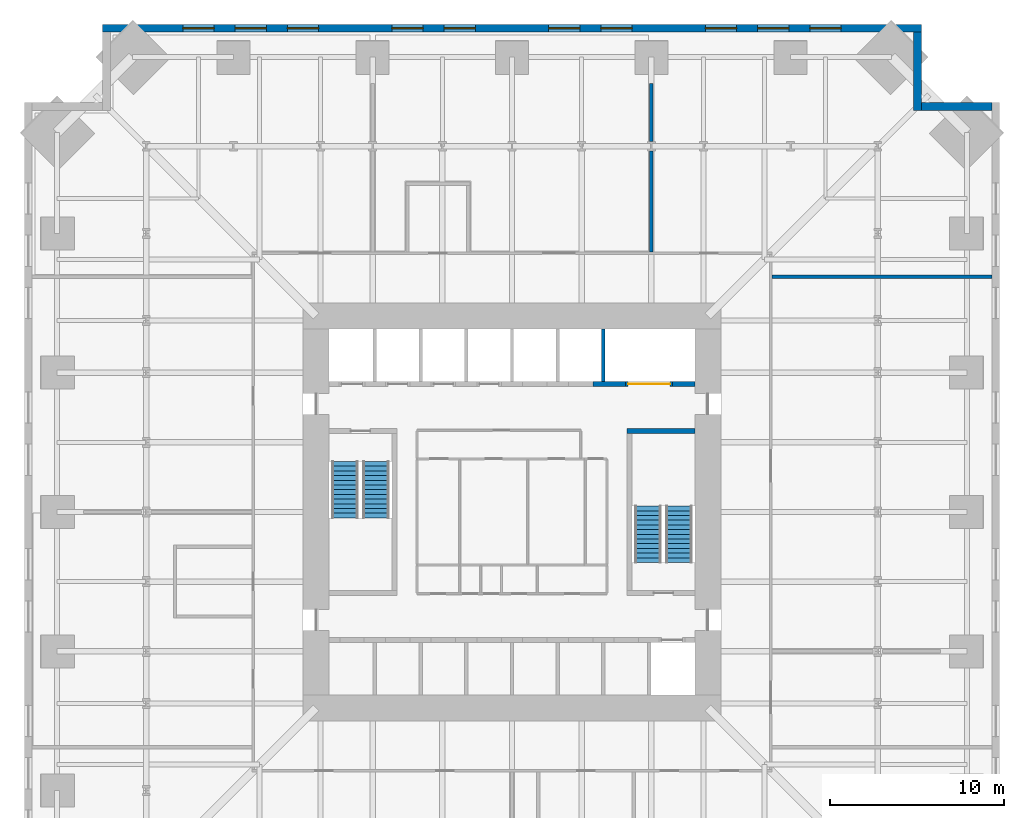
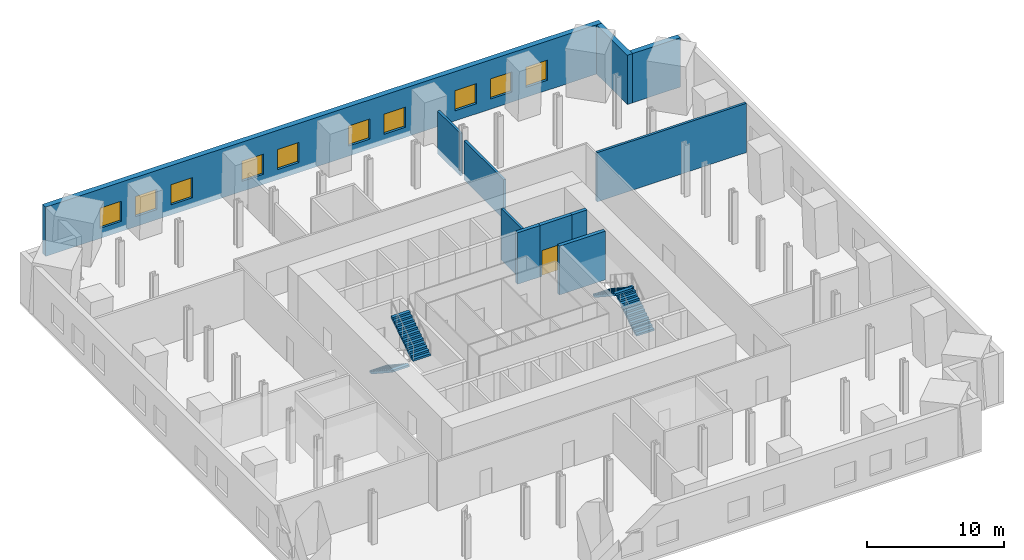
# One storey, part 7 of 8: 11 walls, 10 windows, 4 stair flights, 1 door, 11 openings, 2 elements without a shape of their own.
"""IFC4 building model written with IfcOpenShell, lengths in metres."""

from ifc_helpers import new_model, si_unit, direction, frame, frame_2d, origin, place, context, subcontext, project, spatial, polyline, rectangle, outline, extrude, material, layer, layer_set, type_object, element, fill, aggregate, save


model = new_model("IFC4")

# Units and contexts
model_context = context("Model", 3, precision=1e-05, world=origin(), true_north=direction((0.0, 1.0)))
body_context = subcontext(model_context, "Body", "Model", "MODEL_VIEW")
ifc_project = project(units=[si_unit("LENGTHUNIT", "METRE"), si_unit("AREAUNIT", "SQUARE_METRE"), si_unit("VOLUMEUNIT", "CUBIC_METRE"), si_unit("PLANEANGLEUNIT", "RADIAN"), si_unit("MASSUNIT", "GRAM", prefix="KILO")], contexts=[model_context])

# Site, building, storey
site_placement = place(None, origin())
site = spatial("IfcSite", under=ifc_project, at=site_placement, CompositionType="ELEMENT")
building_placement = place(site_placement, origin())
building = spatial("IfcBuilding", under=site, at=building_placement, Name="Peilmerk Tower", CompositionType="ELEMENT")
storey_placement = place(building_placement, frame((0.0, 0.0, 118.199951171875)))
storey = spatial("IfcBuildingStorey", under=building, at=storey_placement, Name="L23", CompositionType="ELEMENT", Elevation=118.199951171875)

# Wall, openings, windows
ifc_material_1 = material(Name="Precast concrete C45/55, board-marked finish", Category="concrete")
ifc_layer_1 = layer(ifc_material_1, 0.449951171875)
ifc_layer_set_1 = layer_set([ifc_layer_1], Name="Precast concrete C45/55, board-marked finish")
wall_type_1 = type_object("IfcWallType", Name="EW1 450 precast concrete facade wall, board-marked", PredefinedType="SOLIDWALL", material=ifc_layer_set_1)
wall_1_placement = place(storey_placement, frame((23.5, 27.77490234375, 0.0), z_axis=(0.0, 0.0, 1.0), x_axis=(-1.0, 0.0, 0.0)))
wall_1 = element("IfcWall", 1, at=wall_1_placement, inside=storey, type_object=wall_type_1, Name="Facade wall N L23", PredefinedType="SOLIDWALL", context=body_context, shape_type="SweptSolid", body=[
    extrude(rectangle(XDim=47.0, YDim=0.449951171875, at=frame_2d((23.5, 0.0))), origin(), (0.0, 0.0, 1.0), 4.400146484375),
])
opening_1_placement = place(wall_1_placement, frame((4.60009765625, 0.0, 0.89990234375)))
opening_1 = element("IfcOpeningElement", 2, at=opening_1_placement, cuts=wall_1, Name="Opening W3", PredefinedType="OPENING", context=body_context, shape_type="SweptSolid", body=[
    extrude(rectangle(XDim=1.800048828125, YDim=1.800048828125, at=frame_2d((0.89990234375, 0.89990234375))), frame((0.0, 0.23486328125, 0.0), z_axis=(0.0, -1.0, 0.0), x_axis=(1.0, 0.0, 0.0)), (0.0, 0.0, 1.0), 0.469970703125),
])
opening_2_placement = place(wall_1_placement, frame((7.60009765625, 0.0, 0.89990234375)))
opening_2 = element("IfcOpeningElement", 3, at=opening_2_placement, cuts=wall_1, Name="Opening W3", PredefinedType="OPENING", context=body_context, shape_type="SweptSolid", body=[
    extrude(rectangle(XDim=1.800048828125, YDim=1.800048828125, at=frame_2d((0.89990234375, 0.89990234375))), frame((0.0, 0.23486328125, 0.0), z_axis=(0.0, -1.0, 0.0), x_axis=(1.0, 0.0, 0.0)), (0.0, 0.0, 1.0), 0.469970703125),
])
opening_3_placement = place(wall_1_placement, frame((10.60009765625, 0.0, 0.89990234375)))
opening_3 = element("IfcOpeningElement", 4, at=opening_3_placement, cuts=wall_1, Name="Opening W3", PredefinedType="OPENING", context=body_context, shape_type="SweptSolid", body=[
    extrude(rectangle(XDim=1.800048828125, YDim=1.800048828125, at=frame_2d((0.89990234375, 0.89990234375))), frame((0.0, 0.23486328125, 0.0), z_axis=(0.0, -1.0, 0.0), x_axis=(1.0, 0.0, 0.0)), (0.0, 0.0, 1.0), 0.469970703125),
])
opening_4_placement = place(wall_1_placement, frame((16.60009765625, 0.0, 0.89990234375)))
opening_4 = element("IfcOpeningElement", 5, at=opening_4_placement, cuts=wall_1, Name="Opening W3", PredefinedType="OPENING", context=body_context, shape_type="SweptSolid", body=[
    extrude(rectangle(XDim=1.800048828125, YDim=1.800048828125, at=frame_2d((0.89990234375, 0.89990234375))), frame((0.0, 0.23486328125, 0.0), z_axis=(0.0, -1.0, 0.0), x_axis=(1.0, 0.0, 0.0)), (0.0, 0.0, 1.0), 0.469970703125),
])
opening_5_placement = place(wall_1_placement, frame((19.60009765625, 0.0, 0.89990234375)))
opening_5 = element("IfcOpeningElement", 6, at=opening_5_placement, cuts=wall_1, Name="Opening W3", PredefinedType="OPENING", context=body_context, shape_type="SweptSolid", body=[
    extrude(rectangle(XDim=1.800048828125, YDim=1.800048828125, at=frame_2d((0.89990234375, 0.89990234375))), frame((0.0, 0.23486328125, 0.0), z_axis=(0.0, -1.0, 0.0), x_axis=(1.0, 0.0, 0.0)), (0.0, 0.0, 1.0), 0.469970703125),
])
opening_6_placement = place(wall_1_placement, frame((25.60009765625, 0.0, 0.89990234375)))
opening_6 = element("IfcOpeningElement", 7, at=opening_6_placement, cuts=wall_1, Name="Opening W3", PredefinedType="OPENING", context=body_context, shape_type="SweptSolid", body=[
    extrude(rectangle(XDim=1.800048828125, YDim=1.800048828125, at=frame_2d((0.89990234375, 0.89990234375))), frame((0.0, 0.23486328125, 0.0), z_axis=(0.0, -1.0, 0.0), x_axis=(1.0, 0.0, 0.0)), (0.0, 0.0, 1.0), 0.469970703125),
])
opening_7_placement = place(wall_1_placement, frame((28.60009765625, 0.0, 0.89990234375)))
opening_7 = element("IfcOpeningElement", 8, at=opening_7_placement, cuts=wall_1, Name="Opening W3", PredefinedType="OPENING", context=body_context, shape_type="SweptSolid", body=[
    extrude(rectangle(XDim=1.800048828125, YDim=1.800048828125, at=frame_2d((0.89990234375, 0.89990234375))), frame((0.0, 0.23486328125, 0.0), z_axis=(0.0, -1.0, 0.0), x_axis=(1.0, 0.0, 0.0)), (0.0, 0.0, 1.0), 0.469970703125),
])
opening_8_placement = place(wall_1_placement, frame((34.60009765625, 0.0, 0.89990234375)))
opening_8 = element("IfcOpeningElement", 9, at=opening_8_placement, cuts=wall_1, Name="Opening W3", PredefinedType="OPENING", context=body_context, shape_type="SweptSolid", body=[
    extrude(rectangle(XDim=1.800048828125, YDim=1.800048828125, at=frame_2d((0.89990234375, 0.89990234375))), frame((0.0, 0.23486328125, 0.0), z_axis=(0.0, -1.0, 0.0), x_axis=(1.0, 0.0, 0.0)), (0.0, 0.0, 1.0), 0.469970703125),
])
opening_9_placement = place(wall_1_placement, frame((37.60009765625, 0.0, 0.89990234375)))
opening_9 = element("IfcOpeningElement", 10, at=opening_9_placement, cuts=wall_1, Name="Opening W3", PredefinedType="OPENING", context=body_context, shape_type="SweptSolid", body=[
    extrude(rectangle(XDim=1.800048828125, YDim=1.800048828125, at=frame_2d((0.89990234375, 0.89990234375))), frame((0.0, 0.23486328125, 0.0), z_axis=(0.0, -1.0, 0.0), x_axis=(1.0, 0.0, 0.0)), (0.0, 0.0, 1.0), 0.469970703125),
])
opening_10_placement = place(wall_1_placement, frame((40.60009765625, 0.0, 0.89990234375)))
opening_10 = element("IfcOpeningElement", 11, at=opening_10_placement, cuts=wall_1, Name="Opening W3", PredefinedType="OPENING", context=body_context, shape_type="SweptSolid", body=[
    extrude(rectangle(XDim=1.800048828125, YDim=1.800048828125, at=frame_2d((0.89990234375, 0.89990234375))), frame((0.0, 0.23486328125, 0.0), z_axis=(0.0, -1.0, 0.0), x_axis=(1.0, 0.0, 0.0)), (0.0, 0.0, 1.0), 0.469970703125),
])
ifc_material_2 = material(Name="Aluminium frame, clear double glazing", Category="aluminium")
window_type = type_object("IfcWindowType", Name="W3 1800x1800 telecom floor window", PartitioningType="SINGLE_PANEL", PredefinedType="WINDOW", material=ifc_material_2)
window_1_placement = place(opening_1_placement, origin())
window_1 = element("IfcWindow", 12, at=window_1_placement, inside=storey, type_object=window_type, Name="Window W3 L23", OverallHeight=1.800048828125, OverallWidth=1.800048828125, PartitioningType="SINGLE_PANEL", PredefinedType="WINDOW", context=body_context, shape_type="SweptSolid", body=[
    extrude(rectangle(XDim=1.800048828125, YDim=1.800048828125, at=frame_2d((0.89990234375, 0.89990234375))), frame((0.0, 0.030029296875, 0.0), z_axis=(0.0, -1.0, 0.0), x_axis=(1.0, 0.0, 0.0)), (0.0, 0.0, 1.0), 0.06005859375),
])
fill(opening_1, window_1)
window_2_placement = place(opening_2_placement, origin())
window_2 = element("IfcWindow", 13, at=window_2_placement, inside=storey, type_object=window_type, Name="Window W3 L23", OverallHeight=1.800048828125, OverallWidth=1.800048828125, PartitioningType="SINGLE_PANEL", PredefinedType="WINDOW", context=body_context, shape_type="SweptSolid", body=[
    extrude(rectangle(XDim=1.800048828125, YDim=1.800048828125, at=frame_2d((0.89990234375, 0.89990234375))), frame((0.0, 0.030029296875, 0.0), z_axis=(0.0, -1.0, 0.0), x_axis=(1.0, 0.0, 0.0)), (0.0, 0.0, 1.0), 0.06005859375),
])
fill(opening_2, window_2)
window_3_placement = place(opening_3_placement, origin())
window_3 = element("IfcWindow", 14, at=window_3_placement, inside=storey, type_object=window_type, Name="Window W3 L23", OverallHeight=1.800048828125, OverallWidth=1.800048828125, PartitioningType="SINGLE_PANEL", PredefinedType="WINDOW", context=body_context, shape_type="SweptSolid", body=[
    extrude(rectangle(XDim=1.800048828125, YDim=1.800048828125, at=frame_2d((0.89990234375, 0.89990234375))), frame((0.0, 0.030029296875, 0.0), z_axis=(0.0, -1.0, 0.0), x_axis=(1.0, 0.0, 0.0)), (0.0, 0.0, 1.0), 0.06005859375),
])
fill(opening_3, window_3)
window_4_placement = place(opening_4_placement, origin())
window_4 = element("IfcWindow", 15, at=window_4_placement, inside=storey, type_object=window_type, Name="Window W3 L23", OverallHeight=1.800048828125, OverallWidth=1.800048828125, PartitioningType="SINGLE_PANEL", PredefinedType="WINDOW", context=body_context, shape_type="SweptSolid", body=[
    extrude(rectangle(XDim=1.800048828125, YDim=1.800048828125, at=frame_2d((0.89990234375, 0.89990234375))), frame((0.0, 0.030029296875, 0.0), z_axis=(0.0, -1.0, 0.0), x_axis=(1.0, 0.0, 0.0)), (0.0, 0.0, 1.0), 0.06005859375),
])
fill(opening_4, window_4)
window_5_placement = place(opening_5_placement, origin())
window_5 = element("IfcWindow", 16, at=window_5_placement, inside=storey, type_object=window_type, Name="Window W3 L23", OverallHeight=1.800048828125, OverallWidth=1.800048828125, PartitioningType="SINGLE_PANEL", PredefinedType="WINDOW", context=body_context, shape_type="SweptSolid", body=[
    extrude(rectangle(XDim=1.800048828125, YDim=1.800048828125, at=frame_2d((0.89990234375, 0.89990234375))), frame((0.0, 0.030029296875, 0.0), z_axis=(0.0, -1.0, 0.0), x_axis=(1.0, 0.0, 0.0)), (0.0, 0.0, 1.0), 0.06005859375),
])
fill(opening_5, window_5)
window_6_placement = place(opening_6_placement, origin())
window_6 = element("IfcWindow", 17, at=window_6_placement, inside=storey, type_object=window_type, Name="Window W3 L23", OverallHeight=1.800048828125, OverallWidth=1.800048828125, PartitioningType="SINGLE_PANEL", PredefinedType="WINDOW", context=body_context, shape_type="SweptSolid", body=[
    extrude(rectangle(XDim=1.800048828125, YDim=1.800048828125, at=frame_2d((0.89990234375, 0.89990234375))), frame((0.0, 0.030029296875, 0.0), z_axis=(0.0, -1.0, 0.0), x_axis=(1.0, 0.0, 0.0)), (0.0, 0.0, 1.0), 0.06005859375),
])
fill(opening_6, window_6)
window_7_placement = place(opening_7_placement, origin())
window_7 = element("IfcWindow", 18, at=window_7_placement, inside=storey, type_object=window_type, Name="Window W3 L23", OverallHeight=1.800048828125, OverallWidth=1.800048828125, PartitioningType="SINGLE_PANEL", PredefinedType="WINDOW", context=body_context, shape_type="SweptSolid", body=[
    extrude(rectangle(XDim=1.800048828125, YDim=1.800048828125, at=frame_2d((0.89990234375, 0.89990234375))), frame((0.0, 0.030029296875, 0.0), z_axis=(0.0, -1.0, 0.0), x_axis=(1.0, 0.0, 0.0)), (0.0, 0.0, 1.0), 0.06005859375),
])
fill(opening_7, window_7)
window_8_placement = place(opening_8_placement, origin())
window_8 = element("IfcWindow", 19, at=window_8_placement, inside=storey, type_object=window_type, Name="Window W3 L23", OverallHeight=1.800048828125, OverallWidth=1.800048828125, PartitioningType="SINGLE_PANEL", PredefinedType="WINDOW", context=body_context, shape_type="SweptSolid", body=[
    extrude(rectangle(XDim=1.800048828125, YDim=1.800048828125, at=frame_2d((0.89990234375, 0.89990234375))), frame((0.0, 0.030029296875, 0.0), z_axis=(0.0, -1.0, 0.0), x_axis=(1.0, 0.0, 0.0)), (0.0, 0.0, 1.0), 0.06005859375),
])
fill(opening_8, window_8)
window_9_placement = place(opening_9_placement, origin())
window_9 = element("IfcWindow", 20, at=window_9_placement, inside=storey, type_object=window_type, Name="Window W3 L23", OverallHeight=1.800048828125, OverallWidth=1.800048828125, PartitioningType="SINGLE_PANEL", PredefinedType="WINDOW", context=body_context, shape_type="SweptSolid", body=[
    extrude(rectangle(XDim=1.800048828125, YDim=1.800048828125, at=frame_2d((0.89990234375, 0.89990234375))), frame((0.0, 0.030029296875, 0.0), z_axis=(0.0, -1.0, 0.0), x_axis=(1.0, 0.0, 0.0)), (0.0, 0.0, 1.0), 0.06005859375),
])
fill(opening_9, window_9)
window_10_placement = place(opening_10_placement, origin())
window_10 = element("IfcWindow", 21, at=window_10_placement, inside=storey, type_object=window_type, Name="Window W3 L23", OverallHeight=1.800048828125, OverallWidth=1.800048828125, PartitioningType="SINGLE_PANEL", PredefinedType="WINDOW", context=body_context, shape_type="SweptSolid", body=[
    extrude(rectangle(XDim=1.800048828125, YDim=1.800048828125, at=frame_2d((0.89990234375, 0.89990234375))), frame((0.0, 0.030029296875, 0.0), z_axis=(0.0, -1.0, 0.0), x_axis=(1.0, 0.0, 0.0)), (0.0, 0.0, 1.0), 0.06005859375),
])
fill(opening_10, window_10)

# Walls
wall_2_placement = place(storey_placement, frame((23.27490234375, 23.050048828125, 0.0), z_axis=(0.0, 0.0, 1.0), x_axis=(0.0, 1.0, 0.0)))
element("IfcWall", 22, at=wall_2_placement, inside=storey, type_object=wall_type_1, Name="Facade wall NEA L23", PredefinedType="SOLIDWALL", context=body_context, shape_type="SweptSolid", body=[
    extrude(rectangle(XDim=4.5, YDim=0.449951171875, at=frame_2d((2.25, 0.0))), origin(), (0.0, 0.0, 1.0), 4.400146484375),
])
wall_3_placement = place(storey_placement, frame((23.5, 23.27490234375, 0.0), z_axis=(0.0, 0.0, 1.0), x_axis=(1.0, 0.0, 0.0)))
element("IfcWall", 23, at=wall_3_placement, inside=storey, type_object=wall_type_1, Name="Facade wall NEB L23", PredefinedType="SOLIDWALL", context=body_context, shape_type="SweptSolid", body=[
    extrude(rectangle(XDim=4.050048828125, YDim=0.449951171875, at=frame_2d((2.02490234375, 0.0))), origin(), (0.0, 0.0, 1.0), 4.400146484375),
])
ifc_material_3 = material(Name="Calcium silicate block", Category="masonry")
ifc_layer_2 = layer(ifc_material_3, 0.199951171875)
ifc_layer_set_2 = layer_set([ifc_layer_2], Name="Calcium silicate block")
wall_type_2 = type_object("IfcWallType", Name="IW2 200 room separating wall, EI 120", PredefinedType="PARTITIONING", material=ifc_layer_set_2)
wall_4_placement = place(storey_placement, frame((14.925048828125, 13.5, 0.0), z_axis=(0.0, 0.0, 1.0), x_axis=(1.0, 0.0, 0.0)))
element("IfcWall", 24, at=wall_4_placement, inside=storey, type_object=wall_type_2, Name="Room separating wall NE L23", PredefinedType="PARTITIONING", context=body_context, shape_type="SweptSolid", body=[
    extrude(rectangle(XDim=12.625, YDim=0.199951171875, at=frame_2d((6.3125, 0.0))), origin(), (0.0, 0.0, 1.0), 4.400146484375),
])
wall_5_placement = place(storey_placement, frame((8.0, 14.925048828125, 0.0), z_axis=(0.0, 0.0, 1.0), x_axis=(0.0, 1.0, 0.0)))
element("IfcWall", 25, at=wall_5_placement, inside=storey, type_object=wall_type_2, Name="Room separating wall N2 L23", PredefinedType="PARTITIONING", context=body_context, shape_type="SweptSolid", body=[
    extrude(rectangle(XDim=5.79052734375, YDim=0.199951171875, at=frame_2d((2.895263671875, 0.0))), origin(), (0.0, 0.0, 1.0), 3.510009765625),
])
wall_6_placement = place(storey_placement, frame((8.0, 21.284423828125, 0.0), z_axis=(0.0, 0.0, 1.0), x_axis=(0.0, 1.0, 0.0)))
element("IfcWall", 26, at=wall_6_placement, inside=storey, type_object=wall_type_2, Name="Room separating wall N2b L23", PredefinedType="PARTITIONING", context=body_context, shape_type="SweptSolid", body=[
    extrude(rectangle(XDim=3.317138671875, YDim=0.199951171875, at=frame_2d((1.65869140625, 0.0))), origin(), (0.0, 0.0, 1.0), 3.800048828125),
])
ifc_material_4 = material(Name="Concrete C35/45", Category="concrete")
ifc_layer_3 = layer(ifc_material_4, 0.300048828125)
ifc_layer_set_3 = layer_set([ifc_layer_3], Name="Concrete C35/45")
wall_type_3 = type_object("IfcWallType", Name="IW3 300 concrete stair enclosure wall, EI 120", PredefinedType="SOLIDWALL", material=ifc_layer_set_3)
wall_7_placement = place(storey_placement, frame((6.60009765625, 4.64990234375, 0.0), z_axis=(0.0, 0.0, 1.0), x_axis=(1.0, 0.0, 0.0)))
element("IfcWall", 27, at=wall_7_placement, inside=storey, type_object=wall_type_3, Name="Stair 2 enclosure L23", PredefinedType="SOLIDWALL", context=body_context, shape_type="SweptSolid", body=[
    extrude(rectangle(XDim=3.89990234375, YDim=0.300048828125, at=frame_2d((1.949951171875, 0.0))), origin(), (0.0, 0.0, 1.0), 4.35009765625),
])
ifc_layer_4 = layer(ifc_material_3, 0.199951171875)
ifc_layer_set_4 = layer_set([ifc_layer_4], Name="Calcium silicate block")
wall_type_4 = type_object("IfcWallType", Name="SH1 200 shaft dividing wall, EI 120", PredefinedType="PARTITIONING", material=ifc_layer_set_4)
wall_8_placement = place(storey_placement, frame((5.25, 7.5, 0.0), z_axis=(0.0, 0.0, 1.0), x_axis=(0.0, 1.0, 0.0)))
element("IfcWall", 28, at=wall_8_placement, inside=storey, type_object=wall_type_4, Name="Shaft wall N S2 L23", PredefinedType="PARTITIONING", context=body_context, shape_type="SweptSolid", body=[
    extrude(rectangle(XDim=3.0, YDim=0.199951171875, at=frame_2d((1.5, 0.0))), origin(), (0.0, 0.0, 1.0), 4.60009765625),
])

# Wall, opening, door
ifc_layer_5 = layer(ifc_material_3, 0.300048828125)
ifc_layer_set_5 = layer_set([ifc_layer_5], Name="Calcium silicate block")
wall_type_5 = type_object("IfcWallType", Name="SH2 300 lift landing door panel, EI 120", PredefinedType="PARTITIONING", material=ifc_layer_set_5)
wall_9_placement = place(storey_placement, frame((6.52490234375, 7.35009765625, 0.0), z_axis=(0.0, 0.0, 1.0), x_axis=(1.0, 0.0, 0.0)))
wall_9 = element("IfcWall", 29, at=wall_9_placement, inside=storey, type_object=wall_type_5, Name="Lift door panel N GL1 L23", PredefinedType="PARTITIONING", context=body_context, shape_type="SweptSolid", body=[
    extrude(rectangle(XDim=2.7001953125, YDim=0.300048828125, at=frame_2d((1.35009765625, 0.0))), origin(), (0.0, 0.0, 1.0), 4.60009765625),
])
opening_11_placement = place(wall_9_placement, frame((0.14990234375, 0.0, 0.0)))
opening_11 = element("IfcOpeningElement", 30, at=opening_11_placement, cuts=wall_9, Name="Opening LD3", PredefinedType="OPENING", context=body_context, shape_type="SweptSolid", body=[
    extrude(rectangle(XDim=2.39990234375, YDim=2.300048828125, at=frame_2d((1.199951171875, 1.14990234375))), frame((0.0, 0.159912109375, 0.0), z_axis=(0.0, -1.0, 0.0), x_axis=(1.0, 0.0, 0.0)), (0.0, 0.0, 1.0), 0.320068359375),
])
ifc_material_5 = material(Name="Stainless steel landing door", Category="steel")
door_type = type_object("IfcDoorType", Name="LD3 2400x2300 lift landing door, sliding, EI2 60", OperationType="SLIDING_TO_LEFT", PredefinedType="DOOR", material=ifc_material_5)
door_placement = place(opening_11_placement, frame((2.39990234375, 0.0, 0.0), z_axis=(0.0, 0.0, 1.0), x_axis=(-1.0, 0.0, 0.0)))
door = element("IfcDoor", 31, at=door_placement, inside=storey, type_object=door_type, Name="Lift landing door GL1 L23", OperationType="SLIDING_TO_LEFT", OverallHeight=2.300048828125, OverallWidth=2.39990234375, PredefinedType="DOOR", context=body_context, shape_type="SweptSolid", body=[
    extrude(rectangle(XDim=2.39990234375, YDim=2.300048828125, at=frame_2d((1.199951171875, 1.14990234375))), frame((0.0, 0.02490234375, 0.0), z_axis=(0.0, -1.0, 0.0), x_axis=(1.0, 0.0, 0.0)), (0.0, 0.0, 1.0), 0.050048828125),
])
fill(opening_11, door)

# Walls
ifc_material_6 = material(Name="Concrete C55/67", Category="concrete")
ifc_layer_6 = layer(ifc_material_6, 0.300048828125)
ifc_layer_set_6 = layer_set([ifc_layer_6], Name="Concrete C55/67")
wall_type_6 = type_object("IfcWallType", Name="SW2 300 lift bank pier", PredefinedType="SHEAR", material=ifc_layer_set_6)
wall_10_placement = place(storey_placement, frame((4.637451171875, 7.35009765625, 0.0), z_axis=(0.0, 0.0, 1.0), x_axis=(1.0, 0.0, 0.0)))
element("IfcWall", 32, at=wall_10_placement, inside=storey, type_object=wall_type_6, Name="Lift bank pier N L23", PredefinedType="SHEAR", context=body_context, shape_type="SweptSolid", body=[
    extrude(rectangle(XDim=1.887451171875, YDim=0.300048828125, at=frame_2d((0.94384765625, 0.0))), origin(), (0.0, 0.0, 1.0), 4.60009765625),
])
wall_11_placement = place(storey_placement, frame((9.22509765625, 7.35009765625, 0.0), z_axis=(0.0, 0.0, 1.0), x_axis=(1.0, 0.0, 0.0)))
element("IfcWall", 33, at=wall_11_placement, inside=storey, type_object=wall_type_6, Name="Lift bank pier N L23", PredefinedType="SHEAR", context=body_context, shape_type="SweptSolid", body=[
    extrude(rectangle(XDim=1.27490234375, YDim=0.300048828125, at=frame_2d((0.637451171875, 0.0))), origin(), (0.0, 0.0, 1.0), 4.60009765625),
])

# Stair, stair flights
ifc_material_7 = material(Name="Precast concrete C45/55", Category="concrete")
stair_type_1 = type_object("IfcStairType", Name="ST1 26 risers of 176.9", PredefinedType="HALF_TURN_STAIR", material=ifc_material_7)
stair_1_placement = place(storey_placement, origin())
stair_1 = element("IfcStair", 34, at=stair_1_placement, inside=storey, type_object=stair_type_1, Name="Stair 1 L23 to L24", PredefinedType="HALF_TURN_STAIR")
stair_flight_type = type_object("IfcStairFlightType", Name="SF13 flight, 13 risers of 176.9", PredefinedType="STRAIGHT", material=ifc_material_7)
stair_flight_1_placement = place(storey_placement, frame((-9.60009765625, 2.89990234375, 0.0), z_axis=(0.0, 0.0, 1.0), x_axis=(0.0, -1.0, 0.0)))
stair_flight_1 = element("IfcStairFlight", 35, at=stair_flight_1_placement, type_object=stair_flight_type, Name="ST1 flight 1", NumberOfRisers=13, NumberOfTreads=12, PredefinedType="STRAIGHT", RiserHeight=0.176923077, TreadLength=0.27, context=body_context, shape_type="SweptSolid", body=[
    extrude(outline(polyline([(0.0, 0.0), (0.0, 0.177001953125), (0.27001953125, 0.177001953125), (0.27001953125, 0.353759765625), (0.5400390625, 0.353759765625), (0.5400390625, 0.53076171875), (0.81005859375, 0.53076171875), (0.81005859375, 0.707763671875), (1.080078125, 0.707763671875), (1.080078125, 0.884521484375), (1.35009765625, 0.884521484375), (1.35009765625, 1.0615234375), (1.6201171875, 1.0615234375), (1.6201171875, 1.238525390625), (1.889892578125, 1.238525390625), (1.889892578125, 1.415283203125), (2.159912109375, 1.415283203125), (2.159912109375, 1.59228515625), (2.429931640625, 1.59228515625), (2.429931640625, 1.769287109375), (2.699951171875, 1.769287109375), (2.699951171875, 1.946044921875), (2.969970703125, 1.946044921875), (2.969970703125, 2.123046875), (3.239990234375, 2.123046875), (3.239990234375, 2.300048828125), (3.239990234375, 1.94384765625), (0.2734375, 0.0), (0.0, 0.0)])), frame((0.0, 0.75, 0.0), z_axis=(0.0, -1.0, 0.0), x_axis=(1.0, 0.0, 0.0)), (0.0, 0.0, 1.0), 1.5),
])
stair_flight_2_placement = place(storey_placement, frame((-7.800048828125, -0.340087890625, 2.300048828125), z_axis=(0.0, 0.0, 1.0), x_axis=(0.0, 1.0, 0.0)))
stair_flight_2 = element("IfcStairFlight", 36, at=stair_flight_2_placement, type_object=stair_flight_type, Name="ST1 flight 2", NumberOfRisers=13, NumberOfTreads=12, PredefinedType="STRAIGHT", RiserHeight=0.176923077, TreadLength=0.27, context=body_context, shape_type="SweptSolid", body=[
    extrude(outline(polyline([(0.0, 0.0), (0.0, 0.177001953125), (0.27001953125, 0.177001953125), (0.27001953125, 0.353759765625), (0.5400390625, 0.353759765625), (0.5400390625, 0.53076171875), (0.81005859375, 0.53076171875), (0.81005859375, 0.707763671875), (1.080078125, 0.707763671875), (1.080078125, 0.884521484375), (1.35009765625, 0.884521484375), (1.35009765625, 1.0615234375), (1.6201171875, 1.0615234375), (1.6201171875, 1.238525390625), (1.889892578125, 1.238525390625), (1.889892578125, 1.415283203125), (2.159912109375, 1.415283203125), (2.159912109375, 1.59228515625), (2.429931640625, 1.59228515625), (2.429931640625, 1.769287109375), (2.699951171875, 1.769287109375), (2.699951171875, 1.946044921875), (2.969970703125, 1.946044921875), (2.969970703125, 2.123046875), (3.239990234375, 2.123046875), (3.239990234375, 2.300048828125), (3.239990234375, 1.94384765625), (0.2734375, 0.0), (0.0, 0.0)])), frame((0.0, 0.75, 0.0), z_axis=(0.0, -1.0, 0.0), x_axis=(1.0, 0.0, 0.0)), (0.0, 0.0, 1.0), 1.5),
])
aggregate(stair_1, [stair_flight_1, stair_flight_2])

stair_type_2 = type_object("IfcStairType", Name="ST2 26 risers of 176.9", PredefinedType="HALF_TURN_STAIR", material=ifc_material_7)
stair_2_placement = place(storey_placement, origin())
stair_2 = element("IfcStair", 37, at=stair_2_placement, inside=storey, type_object=stair_type_2, Name="Stair 2 L23 to L24", PredefinedType="HALF_TURN_STAIR")
stair_flight_3_placement = place(storey_placement, frame((9.60009765625, -2.89990234375, 0.0), z_axis=(0.0, 0.0, 1.0), x_axis=(0.0, 1.0, 0.0)))
stair_flight_3 = element("IfcStairFlight", 38, at=stair_flight_3_placement, type_object=stair_flight_type, Name="ST2 flight 1", NumberOfRisers=13, NumberOfTreads=12, PredefinedType="STRAIGHT", RiserHeight=0.176923077, TreadLength=0.27, context=body_context, shape_type="SweptSolid", body=[
    extrude(outline(polyline([(0.0, 0.0), (0.0, 0.177001953125), (0.27001953125, 0.177001953125), (0.27001953125, 0.353759765625), (0.5400390625, 0.353759765625), (0.5400390625, 0.53076171875), (0.81005859375, 0.53076171875), (0.81005859375, 0.707763671875), (1.080078125, 0.707763671875), (1.080078125, 0.884521484375), (1.35009765625, 0.884521484375), (1.35009765625, 1.0615234375), (1.6201171875, 1.0615234375), (1.6201171875, 1.238525390625), (1.889892578125, 1.238525390625), (1.889892578125, 1.415283203125), (2.159912109375, 1.415283203125), (2.159912109375, 1.59228515625), (2.429931640625, 1.59228515625), (2.429931640625, 1.769287109375), (2.699951171875, 1.769287109375), (2.699951171875, 1.946044921875), (2.969970703125, 1.946044921875), (2.969970703125, 2.123046875), (3.239990234375, 2.123046875), (3.239990234375, 2.300048828125), (3.239990234375, 1.94384765625), (0.2734375, 0.0), (0.0, 0.0)])), frame((0.0, 0.75, 0.0), z_axis=(0.0, -1.0, 0.0), x_axis=(1.0, 0.0, 0.0)), (0.0, 0.0, 1.0), 1.5),
])
stair_flight_4_placement = place(storey_placement, frame((7.800048828125, 0.340087890625, 2.300048828125), z_axis=(0.0, 0.0, 1.0), x_axis=(0.0, -1.0, 0.0)))
stair_flight_4 = element("IfcStairFlight", 39, at=stair_flight_4_placement, type_object=stair_flight_type, Name="ST2 flight 2", NumberOfRisers=13, NumberOfTreads=12, PredefinedType="STRAIGHT", RiserHeight=0.176923077, TreadLength=0.27, context=body_context, shape_type="SweptSolid", body=[
    extrude(outline(polyline([(0.0, 0.0), (0.0, 0.177001953125), (0.27001953125, 0.177001953125), (0.27001953125, 0.353759765625), (0.5400390625, 0.353759765625), (0.5400390625, 0.53076171875), (0.81005859375, 0.53076171875), (0.81005859375, 0.707763671875), (1.080078125, 0.707763671875), (1.080078125, 0.884521484375), (1.35009765625, 0.884521484375), (1.35009765625, 1.0615234375), (1.6201171875, 1.0615234375), (1.6201171875, 1.238525390625), (1.889892578125, 1.238525390625), (1.889892578125, 1.415283203125), (2.159912109375, 1.415283203125), (2.159912109375, 1.59228515625), (2.429931640625, 1.59228515625), (2.429931640625, 1.769287109375), (2.699951171875, 1.769287109375), (2.699951171875, 1.946044921875), (2.969970703125, 1.946044921875), (2.969970703125, 2.123046875), (3.239990234375, 2.123046875), (3.239990234375, 2.300048828125), (3.239990234375, 1.94384765625), (0.2734375, 0.0), (0.0, 0.0)])), frame((0.0, 0.75, 0.0), z_axis=(0.0, -1.0, 0.0), x_axis=(1.0, 0.0, 0.0)), (0.0, 0.0, 1.0), 1.5),
])
aggregate(stair_2, [stair_flight_3, stair_flight_4])

save(model, "model.ifc")
